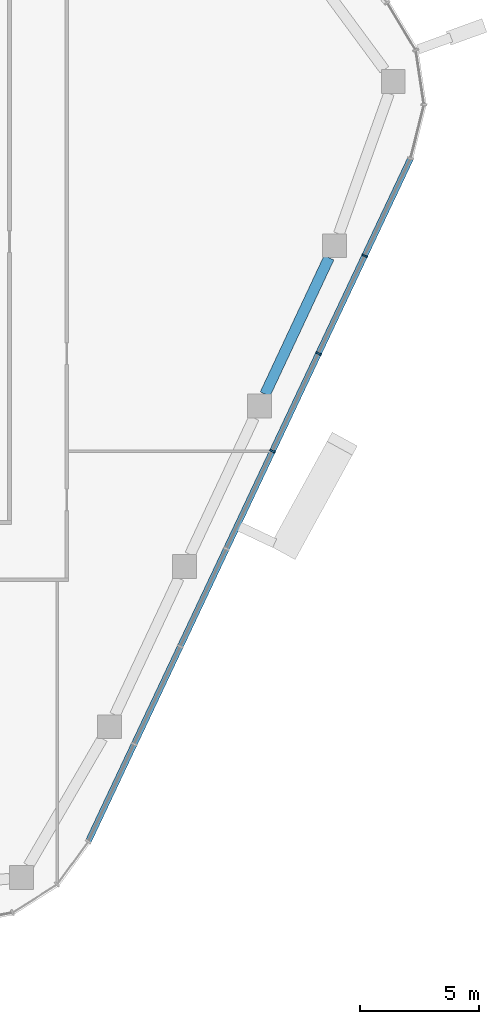
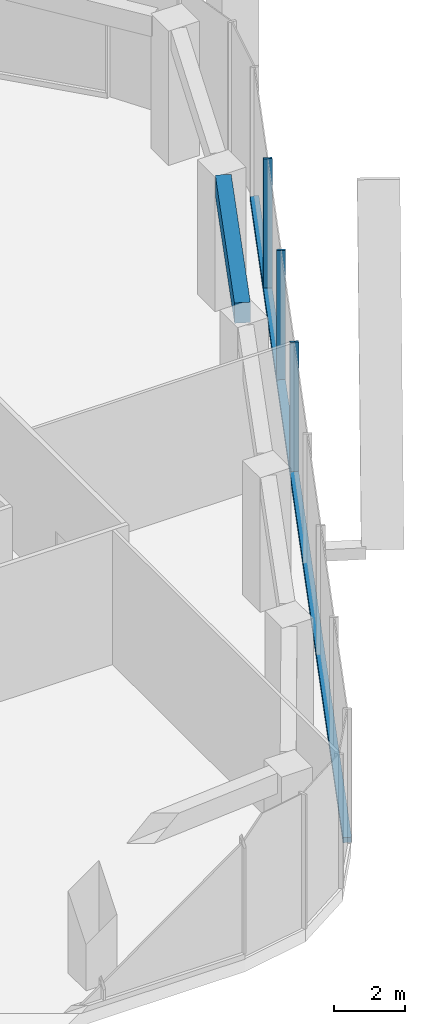
# One storey, part 4 of 20: 4 members, 1 beam, 1 element without a shape of its own.
"""IFC4 building model written with IfcOpenShell, lengths in metres."""

from ifc_helpers import new_model, si_unit, direction, frame, origin, origin_2d, place, context, subcontext, project, spatial, rectangle, extrude, material, layer, layer_set, material_profile, profile_set, type_object, element, aggregate, save


model = new_model("IFC4")

# Units and contexts
model_context = context("Model", 3, precision=1e-05, world=origin(), true_north=direction((0.0, 1.0)))
body_context = subcontext(model_context, "Body", "Model", "MODEL_VIEW")
ifc_project = project(units=[si_unit("LENGTHUNIT", "METRE"), si_unit("AREAUNIT", "SQUARE_METRE"), si_unit("VOLUMEUNIT", "CUBIC_METRE"), si_unit("PLANEANGLEUNIT", "RADIAN"), si_unit("MASSUNIT", "GRAM", prefix="KILO")], contexts=[model_context])

# Site, building, storey
site_placement = place(None, origin())
site = spatial("IfcSite", under=ifc_project, at=site_placement, CompositionType="ELEMENT")
building_placement = place(site_placement, origin())
building = spatial("IfcBuilding", under=site, at=building_placement, Name="Dongbaek Canopy Tower", CompositionType="ELEMENT")
storey_placement = place(building_placement, frame((0.0, 0.0, 289.199951171875)))
storey = spatial("IfcBuildingStorey", under=building, at=storey_placement, Name="L61", CompositionType="ELEMENT", Elevation=289.199951171875)

# Curtain wall, members
ifc_material_1 = material(Name="Aluminium 6063-T6 pale anodised", Category="aluminium")
ifc_layer = layer(ifc_material_1, 0.25)
ifc_layer_set = layer_set([ifc_layer], Name="CW-4 sky-lobby curtain wall")
curtain_wall_type = type_object("IfcCurtainWallType", Name="CW-4 sky-lobby curtain wall", PredefinedType="NOTDEFINED", material=ifc_layer_set)
curtain_wall_placement = place(storey_placement, origin())
curtain_wall = element("IfcCurtainWall", 1, at=curtain_wall_placement, inside=storey, type_object=curtain_wall_type, Name="CW-4 curtain wall F5.1", PredefinedType="NOTDEFINED")
ifc_material_2 = material(Name="Aluminium 6063-T6 pale anodised", Category="aluminium")
ifc_material_profile_1 = material_profile(ifc_material_2, rectangle(XDim=0.25, YDim=0.070068359375, at=origin_2d()), Name="CW-4 mullion 70 x 250")
ifc_profile_set_1 = profile_set([ifc_material_profile_1], Name="Aluminium 6063-T6 pale anodised")
member_type_1 = type_object("IfcMemberType", Name="CW-4 mullion 70 x 250", PredefinedType="MULLION", material=ifc_profile_set_1)
member_1_placement = place(storey_placement, frame((25.75244140625, -8.76513671875, 0.179931640625), z_axis=(0.0, 0.0, 1.0), x_axis=(0.904371213134, -0.426746656524, 0.0)))
member_1 = element("IfcMember", 2, at=member_1_placement, type_object=member_type_1, Name="CW-4 mullion F5.1.5", PredefinedType="MULLION", context=body_context, shape_type="SweptSolid", body=[
    extrude(rectangle(XDim=0.25, YDim=0.070068359375, at=origin_2d()), origin(), (0.0, 0.0, 1.0), 4.440185546875),
])
member_2_placement = place(storey_placement, frame((27.6806640625, -4.678955078125, 0.179931640625), z_axis=(0.0, 0.0, 1.0), x_axis=(0.904371213134, -0.426746656524, 0.0)))
member_2 = element("IfcMember", 3, at=member_2_placement, type_object=member_type_1, Name="CW-4 mullion F5.1.6", PredefinedType="MULLION", context=body_context, shape_type="SweptSolid", body=[
    extrude(rectangle(XDim=0.25, YDim=0.070068359375, at=origin_2d()), origin(), (0.0, 0.0, 1.0), 4.440185546875),
])
member_3_placement = place(storey_placement, frame((29.60888671875, -0.5927734375, 0.179931640625), z_axis=(0.0, 0.0, 1.0), x_axis=(0.904371213134, -0.426746656524, 0.0)))
member_3 = element("IfcMember", 4, at=member_3_placement, type_object=member_type_1, Name="CW-4 mullion F5.1.7", PredefinedType="MULLION", context=body_context, shape_type="SweptSolid", body=[
    extrude(rectangle(XDim=0.25, YDim=0.070068359375, at=origin_2d()), origin(), (0.0, 0.0, 1.0), 4.440185546875),
])
ifc_material_3 = material(Name="Aluminium 6063-T6 pale anodised", Category="aluminium")
ifc_material_profile_2 = material_profile(ifc_material_3, rectangle(XDim=0.25, YDim=0.179931640625, at=origin_2d()), Name="CW-4 transom 180 x 250")
ifc_profile_set_2 = profile_set([ifc_material_profile_2], Name="Aluminium 6063-T6 pale anodised")
member_type_2 = type_object("IfcMemberType", Name="CW-4 transom 180 x 250", PredefinedType="USERDEFINED", material=ifc_profile_set_2)
member_4_placement = place(storey_placement, frame((18.0439453125, -25.10107421875, 0.090087890625), z_axis=(0.426749803418, 0.904369728199, 0.0), x_axis=(-0.904369728199, 0.426749803418, 0.0)))
member_4 = element("IfcMember", 5, at=member_4_placement, type_object=member_type_2, Name="CW-4 transom F5.1.1", ObjectType="TRANSOM", PredefinedType="USERDEFINED", context=body_context, shape_type="SweptSolid", body=[
    extrude(rectangle(XDim=0.25, YDim=0.179931640625, at=origin_2d()), origin(), (0.0, 0.0, 1.0), 31.608154296875),
])
aggregate(curtain_wall, [member_1, member_2, member_3, member_4])

# Beam
ifc_material_4 = material(Name="Concrete C60", Category="concrete")
ifc_material_profile_3 = material_profile(ifc_material_4, rectangle(XDim=0.449951171875, YDim=0.699951171875, at=origin_2d()), Name="RC EDGE BEAM 450x700 C60")
ifc_profile_set_3 = profile_set([ifc_material_profile_3], Name="Concrete C60")
beam_type = type_object("IfcBeamType", Name="RC EDGE BEAM 450x700 C60", PredefinedType="BEAM", material=ifc_profile_set_3)
beam_placement = place(storey_placement, frame((28.116943359375, -0.669921875, 4.27001953125), z_axis=(-0.42401310583, -0.905656052861, 0.0), x_axis=(0.905656052861, -0.42401310583, 0.0)))
element("IfcBeam", 6, at=beam_placement, inside=storey, type_object=beam_type, Name="EDGEBEAM:L61:22", PredefinedType="BEAM", context=body_context, shape_type="SweptSolid", body=[
    extrude(rectangle(XDim=0.449951171875, YDim=0.699951171875, at=origin_2d()), origin(), (0.0, 0.0, 1.0), 6.3037109375),
])

save(model, "model.ifc")
